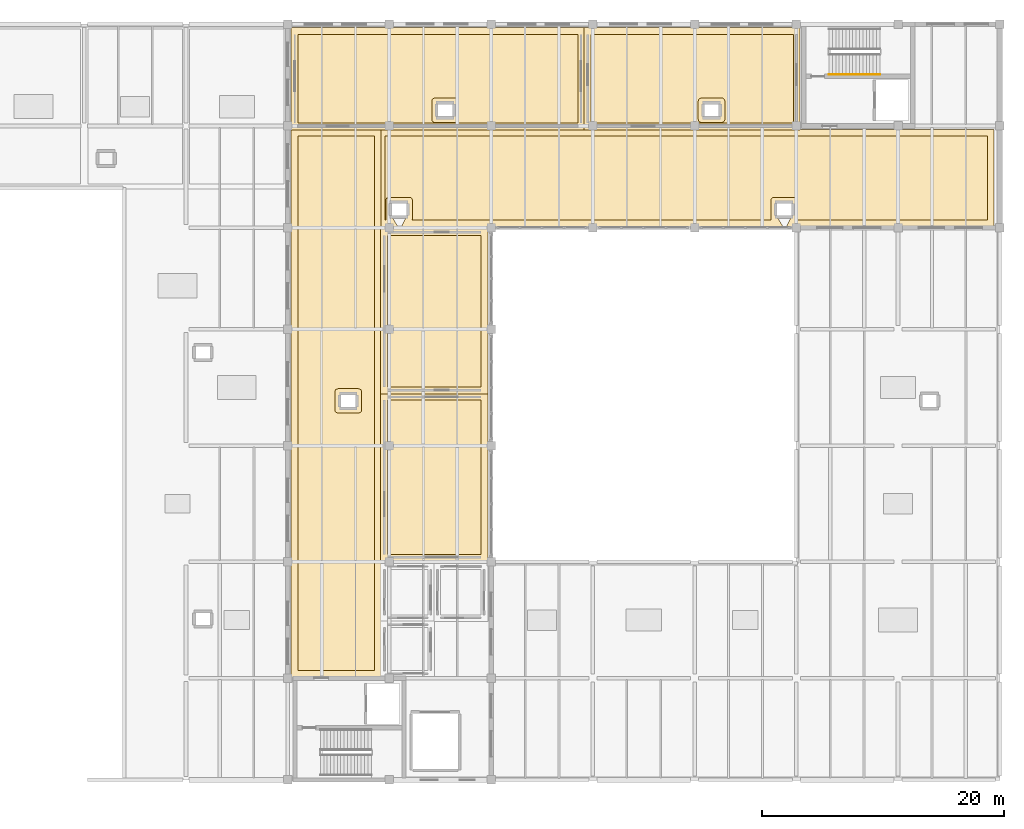
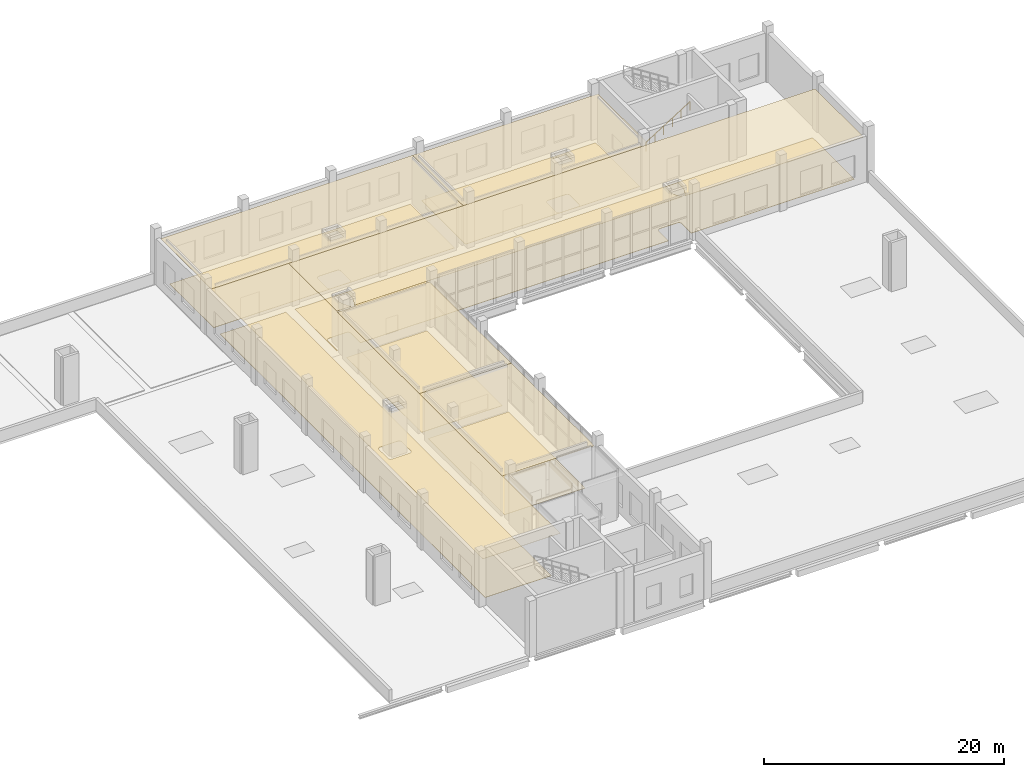
# One storey, part 48 of 49: 12 coverings, 1 railing.
"""IFC4 building model written with IfcOpenShell, lengths in metres."""

from ifc_helpers import new_model, si_unit, direction, frame, origin, origin_2d, place, context, subcontext, project, spatial, polyline, circle, outline, extrude, material, layer, layer_set, type_object, element, save


model = new_model("IFC4")

# Units and contexts
model_context = context("Model", 3, precision=1e-05, world=origin(), true_north=direction((0.0, 1.0)))
body_context = subcontext(model_context, "Body", "Model", "MODEL_VIEW")
ifc_project = project(units=[si_unit("LENGTHUNIT", "METRE"), si_unit("AREAUNIT", "SQUARE_METRE"), si_unit("VOLUMEUNIT", "CUBIC_METRE"), si_unit("PLANEANGLEUNIT", "RADIAN"), si_unit("MASSUNIT", "GRAM", prefix="KILO")], contexts=[model_context])

# Site, building, storey
site_placement = place(None, origin())
site = spatial("IfcSite", under=ifc_project, at=site_placement, CompositionType="ELEMENT")
building_placement = place(site_placement, origin())
building = spatial("IfcBuilding", under=site, at=building_placement, Name="Zulmaris Art Gallery", CompositionType="ELEMENT")
storey_placement = place(building_placement, frame((0.0, 0.0, 20.699951171875)))
storey = spatial("IfcBuildingStorey", under=building, at=storey_placement, Name="L04", CompositionType="ELEMENT", Elevation=20.699951171875)

# Coverings
ifc_material_1 = material(Name="Micro-Perforated Gypsum Acoustic Ceiling", Category="gypsum")
ifc_layer_1 = layer(ifc_material_1, 0.02490234375)
ifc_layer_set_1 = layer_set([ifc_layer_1], Name="Micro-Perforated Gypsum Acoustic Ceiling")
covering_type_1 = type_object("IfcCoveringType", Name="COV-CL01", PredefinedType="CEILING", material=ifc_layer_set_1)
covering_1_placement = place(storey_placement, frame((0.0, 0.0, 4.449951171875)))
element("IfcCovering", 1, at=covering_1_placement, inside=storey, type_object=covering_type_1, Name="L04 Studios West Corridor acoustic ceiling", PredefinedType="CEILING", context=body_context, shape_type="SweptSolid", body=[
    extrude(outline(polyline([(141.8798828125, 66.919921875), (149.320068359375, 66.919921875), (149.320068359375, 21.679931640625), (141.8798828125, 21.679931640625), (141.8798828125, 66.919921875)]), holes=[polyline([(145.97998046875, 43.998046875), (145.98046875, 43.99609375), (145.98095703125, 43.994140625), (145.9814453125, 43.9921875), (145.982421875, 43.990478515625), (145.9833984375, 43.989013671875), (145.984619140625, 43.9873046875), (145.98583984375, 43.98583984375), (145.9873046875, 43.984619140625), (145.989013671875, 43.9833984375), (145.990478515625, 43.982421875), (145.9921875, 43.9814453125), (145.994140625, 43.98095703125), (145.99609375, 43.98046875), (145.998046875, 43.97998046875), (146.0, 43.97998046875), (147.199951171875, 43.97998046875), (147.201904296875, 43.97998046875), (147.203857421875, 43.98046875), (147.205810546875, 43.98095703125), (147.207763671875, 43.9814453125), (147.20947265625, 43.982421875), (147.211181640625, 43.9833984375), (147.212646484375, 43.984619140625), (147.214111328125, 43.98583984375), (147.215576171875, 43.9873046875), (147.216552734375, 43.989013671875), (147.217529296875, 43.990478515625), (147.218505859375, 43.9921875), (147.218994140625, 43.994140625), (147.219482421875, 43.99609375), (147.219970703125, 43.998046875), (147.219970703125, 44.0), (147.219970703125, 45.0), (147.219970703125, 45.001953125), (147.219482421875, 45.00390625), (147.218994140625, 45.005859375), (147.218505859375, 45.0078125), (147.217529296875, 45.009521484375), (147.216552734375, 45.010986328125), (147.215576171875, 45.0126953125), (147.214111328125, 45.01416015625), (147.212646484375, 45.015380859375), (147.211181640625, 45.0166015625), (147.20947265625, 45.017578125), (147.207763671875, 45.0185546875), (147.205810546875, 45.01904296875), (147.203857421875, 45.01953125), (147.201904296875, 45.02001953125), (147.199951171875, 45.02001953125), (146.0, 45.02001953125), (145.998046875, 45.02001953125), (145.99609375, 45.01953125), (145.994140625, 45.01904296875), (145.9921875, 45.0185546875), (145.990478515625, 45.017578125), (145.989013671875, 45.0166015625), (145.9873046875, 45.015380859375), (145.98583984375, 45.01416015625), (145.984619140625, 45.0126953125), (145.9833984375, 45.010986328125), (145.982421875, 45.009521484375), (145.9814453125, 45.0078125), (145.98095703125, 45.005859375), (145.98046875, 45.00390625), (145.97998046875, 45.001953125), (145.97998046875, 45.0), (145.97998046875, 44.0), (145.97998046875, 43.998046875)])]), origin(), (0.0, 0.0, 1.0), 0.030029296875),
])
covering_2_placement = place(storey_placement, frame((0.0, 0.0, 4.449951171875)))
element("IfcCovering", 2, at=covering_2_placement, inside=storey, type_object=covering_type_1, Name="L04 Studios North Corridor acoustic ceiling", PredefinedType="CEILING", context=body_context, shape_type="SweptSolid", body=[
    extrude(outline(polyline([(199.919921875, 66.919921875), (199.919921875, 58.8798828125), (182.791748046875, 58.8798828125), (183.14990234375, 59.619873046875), (183.14990234375, 59.780029296875), (183.199951171875, 59.780029296875), (183.201904296875, 59.780029296875), (183.203857421875, 59.780517578125), (183.205810546875, 59.781005859375), (183.207763671875, 59.781494140625), (183.20947265625, 59.782470703125), (183.211181640625, 59.783447265625), (183.212646484375, 59.784423828125), (183.214111328125, 59.785888671875), (183.215576171875, 59.787353515625), (183.216552734375, 59.788818359375), (183.217529296875, 59.79052734375), (183.218505859375, 59.792236328125), (183.218994140625, 59.794189453125), (183.219482421875, 59.796142578125), (183.219970703125, 59.798095703125), (183.219970703125, 59.800048828125), (183.219970703125, 60.800048828125), (183.219970703125, 60.802001953125), (183.219482421875, 60.803955078125), (183.218994140625, 60.805908203125), (183.218505859375, 60.8076171875), (183.217529296875, 60.809326171875), (183.216552734375, 60.81103515625), (183.215576171875, 60.812744140625), (183.214111328125, 60.814208984375), (183.212646484375, 60.8154296875), (183.211181640625, 60.816650390625), (183.20947265625, 60.817626953125), (183.207763671875, 60.818603515625), (183.205810546875, 60.819091796875), (183.203857421875, 60.819580078125), (183.201904296875, 60.81982421875), (183.199951171875, 60.820068359375), (182.0, 60.820068359375), (181.998046875, 60.81982421875), (181.99609375, 60.819580078125), (181.994140625, 60.819091796875), (181.9921875, 60.818603515625), (181.990478515625, 60.817626953125), (181.989013671875, 60.816650390625), (181.9873046875, 60.8154296875), (181.98583984375, 60.814208984375), (181.984619140625, 60.812744140625), (181.9833984375, 60.81103515625), (181.982421875, 60.809326171875), (181.9814453125, 60.8076171875), (181.98095703125, 60.805908203125), (181.98046875, 60.803955078125), (181.97998046875, 60.802001953125), (181.97998046875, 60.800048828125), (181.97998046875, 59.800048828125), (181.97998046875, 59.798095703125), (181.98046875, 59.796142578125), (181.98095703125, 59.794189453125), (181.9814453125, 59.792236328125), (181.982421875, 59.79052734375), (181.9833984375, 59.788818359375), (181.984619140625, 59.787353515625), (181.98583984375, 59.785888671875), (181.9873046875, 59.784423828125), (181.989013671875, 59.783447265625), (181.990478515625, 59.782470703125), (181.9921875, 59.781494140625), (181.994140625, 59.781005859375), (181.99609375, 59.780517578125), (181.998046875, 59.780029296875), (182.0, 59.780029296875), (182.050048828125, 59.780029296875), (182.050048828125, 59.633544921875), (182.501708984375, 58.8798828125), (150.99169921875, 58.8798828125), (151.35009765625, 59.619873046875), (151.35009765625, 59.780029296875), (151.39990234375, 59.780029296875), (151.402099609375, 59.780029296875), (151.40380859375, 59.780517578125), (151.40576171875, 59.781005859375), (151.40771484375, 59.781494140625), (151.409423828125, 59.782470703125), (151.4111328125, 59.783447265625), (151.41259765625, 59.784423828125), (151.4140625, 59.785888671875), (151.41552734375, 59.787353515625), (151.41650390625, 59.788818359375), (151.41748046875, 59.79052734375), (151.41845703125, 59.792236328125), (151.419189453125, 59.794189453125), (151.419677734375, 59.796142578125), (151.419921875, 59.798095703125), (151.419921875, 59.800048828125), (151.419921875, 60.800048828125), (151.419921875, 60.802001953125), (151.419677734375, 60.803955078125), (151.419189453125, 60.805908203125), (151.41845703125, 60.8076171875), (151.41748046875, 60.809326171875), (151.41650390625, 60.81103515625), (151.41552734375, 60.812744140625), (151.4140625, 60.814208984375), (151.41259765625, 60.8154296875), (151.4111328125, 60.816650390625), (151.409423828125, 60.817626953125), (151.40771484375, 60.818603515625), (151.40576171875, 60.819091796875), (151.40380859375, 60.819580078125), (151.402099609375, 60.81982421875), (151.39990234375, 60.820068359375), (150.199951171875, 60.820068359375), (150.197998046875, 60.81982421875), (150.196044921875, 60.819580078125), (150.194091796875, 60.819091796875), (150.1923828125, 60.818603515625), (150.190673828125, 60.817626953125), (150.18896484375, 60.816650390625), (150.187255859375, 60.8154296875), (150.185791015625, 60.814208984375), (150.1845703125, 60.812744140625), (150.183349609375, 60.81103515625), (150.182373046875, 60.809326171875), (150.181396484375, 60.8076171875), (150.180908203125, 60.805908203125), (150.180419921875, 60.803955078125), (150.18017578125, 60.802001953125), (150.179931640625, 60.800048828125), (150.179931640625, 59.800048828125), (150.18017578125, 59.798095703125), (150.180419921875, 59.796142578125), (150.180908203125, 59.794189453125), (150.181396484375, 59.792236328125), (150.182373046875, 59.79052734375), (150.183349609375, 59.788818359375), (150.1845703125, 59.787353515625), (150.185791015625, 59.785888671875), (150.187255859375, 59.784423828125), (150.18896484375, 59.783447265625), (150.190673828125, 59.782470703125), (150.1923828125, 59.781494140625), (150.194091796875, 59.781005859375), (150.196044921875, 59.780517578125), (150.197998046875, 59.780029296875), (150.199951171875, 59.780029296875), (150.25, 59.780029296875), (150.25, 59.633544921875), (150.70166015625, 58.8798828125), (149.080078125, 58.8798828125), (149.080078125, 66.919921875), (199.919921875, 66.919921875)])), origin(), (0.0, 0.0, 1.0), 0.030029296875),
])
covering_3_placement = place(storey_placement, frame((0.0, 0.0, 4.449951171875)))
element("IfcCovering", 3, at=covering_3_placement, inside=storey, type_object=covering_type_1, Name="Resident Artists' Studio 1 (Painting) acoustic ceiling", PredefinedType="CEILING", context=body_context, shape_type="SweptSolid", body=[
    extrude(outline(polyline([(141.8798828125, 75.320068359375), (166.1201171875, 75.320068359375), (166.1201171875, 66.8798828125), (141.8798828125, 66.8798828125), (141.8798828125, 75.320068359375)]), holes=[polyline([(153.998046875, 69.02001953125), (153.99609375, 69.01953125), (153.994140625, 69.01904296875), (153.9921875, 69.0185546875), (153.990478515625, 69.017578125), (153.989013671875, 69.0166015625), (153.9873046875, 69.015380859375), (153.98583984375, 69.01416015625), (153.984619140625, 69.0126953125), (153.9833984375, 69.010986328125), (153.982421875, 69.009521484375), (153.9814453125, 69.0078125), (153.98095703125, 69.005859375), (153.98046875, 69.00390625), (153.97998046875, 69.001953125), (153.97998046875, 69.0), (153.97998046875, 68.0), (153.97998046875, 67.998046875), (153.98046875, 67.99609375), (153.98095703125, 67.994140625), (153.9814453125, 67.9921875), (153.982421875, 67.990478515625), (153.9833984375, 67.989013671875), (153.984619140625, 67.9873046875), (153.98583984375, 67.98583984375), (153.9873046875, 67.984619140625), (153.989013671875, 67.9833984375), (153.990478515625, 67.982421875), (153.9921875, 67.9814453125), (153.994140625, 67.98095703125), (153.99609375, 67.98046875), (153.998046875, 67.97998046875), (154.0, 67.97998046875), (155.199951171875, 67.97998046875), (155.201904296875, 67.97998046875), (155.203857421875, 67.98046875), (155.205810546875, 67.98095703125), (155.207763671875, 67.9814453125), (155.20947265625, 67.982421875), (155.211181640625, 67.9833984375), (155.212646484375, 67.984619140625), (155.214111328125, 67.98583984375), (155.215576171875, 67.9873046875), (155.216552734375, 67.989013671875), (155.217529296875, 67.990478515625), (155.218505859375, 67.9921875), (155.218994140625, 67.994140625), (155.219482421875, 67.99609375), (155.219970703125, 67.998046875), (155.219970703125, 68.0), (155.219970703125, 69.0), (155.219970703125, 69.001953125), (155.219482421875, 69.00390625), (155.218994140625, 69.005859375), (155.218505859375, 69.0078125), (155.217529296875, 69.009521484375), (155.216552734375, 69.010986328125), (155.215576171875, 69.0126953125), (155.214111328125, 69.01416015625), (155.212646484375, 69.015380859375), (155.211181640625, 69.0166015625), (155.20947265625, 69.017578125), (155.207763671875, 69.0185546875), (155.205810546875, 69.01904296875), (155.203857421875, 69.01953125), (155.201904296875, 69.02001953125), (155.199951171875, 69.02001953125), (154.0, 69.02001953125), (153.998046875, 69.02001953125)])]), origin(), (0.0, 0.0, 1.0), 0.030029296875),
])
covering_4_placement = place(storey_placement, frame((0.0, 0.0, 4.449951171875)))
element("IfcCovering", 4, at=covering_4_placement, inside=storey, type_object=covering_type_1, Name="Resident Artists' Studio 2 (Mixed Media) acoustic ceiling", PredefinedType="CEILING", context=body_context, shape_type="SweptSolid", body=[
    extrude(outline(polyline([(166.080078125, 75.320068359375), (183.919921875, 75.320068359375), (183.919921875, 66.8798828125), (166.080078125, 66.8798828125), (166.080078125, 75.320068359375)]), holes=[polyline([(177.201904296875, 67.97998046875), (177.203857421875, 67.98046875), (177.205810546875, 67.98095703125), (177.207763671875, 67.9814453125), (177.20947265625, 67.982421875), (177.211181640625, 67.9833984375), (177.212646484375, 67.984619140625), (177.214111328125, 67.98583984375), (177.215576171875, 67.9873046875), (177.216552734375, 67.989013671875), (177.217529296875, 67.990478515625), (177.218505859375, 67.9921875), (177.218994140625, 67.994140625), (177.219482421875, 67.99609375), (177.219970703125, 67.998046875), (177.219970703125, 68.0), (177.219970703125, 69.0), (177.219970703125, 69.001953125), (177.219482421875, 69.00390625), (177.218994140625, 69.005859375), (177.218505859375, 69.0078125), (177.217529296875, 69.009521484375), (177.216552734375, 69.010986328125), (177.215576171875, 69.0126953125), (177.214111328125, 69.01416015625), (177.212646484375, 69.015380859375), (177.211181640625, 69.0166015625), (177.20947265625, 69.017578125), (177.207763671875, 69.0185546875), (177.205810546875, 69.01904296875), (177.203857421875, 69.01953125), (177.201904296875, 69.02001953125), (177.199951171875, 69.02001953125), (176.0, 69.02001953125), (175.998046875, 69.02001953125), (175.99609375, 69.01953125), (175.994140625, 69.01904296875), (175.9921875, 69.0185546875), (175.990478515625, 69.017578125), (175.989013671875, 69.0166015625), (175.9873046875, 69.015380859375), (175.98583984375, 69.01416015625), (175.984619140625, 69.0126953125), (175.9833984375, 69.010986328125), (175.982421875, 69.009521484375), (175.9814453125, 69.0078125), (175.98095703125, 69.005859375), (175.98046875, 69.00390625), (175.97998046875, 69.001953125), (175.97998046875, 69.0), (175.97998046875, 68.0), (175.97998046875, 67.998046875), (175.98046875, 67.99609375), (175.98095703125, 67.994140625), (175.9814453125, 67.9921875), (175.982421875, 67.990478515625), (175.9833984375, 67.989013671875), (175.984619140625, 67.9873046875), (175.98583984375, 67.98583984375), (175.9873046875, 67.984619140625), (175.989013671875, 67.9833984375), (175.990478515625, 67.982421875), (175.9921875, 67.9814453125), (175.994140625, 67.98095703125), (175.99609375, 67.98046875), (175.998046875, 67.97998046875), (176.0, 67.97998046875), (177.199951171875, 67.97998046875), (177.201904296875, 67.97998046875)])]), origin(), (0.0, 0.0, 1.0), 0.030029296875),
])
covering_5_placement = place(storey_placement, frame((0.0, 0.0, 4.449951171875)))
element("IfcCovering", 5, at=covering_5_placement, inside=storey, type_object=covering_type_1, Name="Resident Artists' Studio 3 (Sculpture) acoustic ceiling", PredefinedType="CEILING", context=body_context, shape_type="SweptSolid", body=[
    extrude(outline(polyline([(149.280029296875, 45.1201171875), (158.1201171875, 45.1201171875), (158.1201171875, 31.280029296875), (149.280029296875, 31.280029296875), (149.280029296875, 45.1201171875)])), origin(), (0.0, 0.0, 1.0), 0.030029296875),
])
covering_6_placement = place(storey_placement, frame((0.0, 0.0, 4.449951171875)))
element("IfcCovering", 6, at=covering_6_placement, inside=storey, type_object=covering_type_1, Name="Shared Wood, Metal & Kiln Workshop acoustic ceiling", PredefinedType="CEILING", context=body_context, shape_type="SweptSolid", body=[
    extrude(outline(polyline([(149.280029296875, 58.719970703125), (158.1201171875, 58.719970703125), (158.1201171875, 45.080078125), (149.280029296875, 45.080078125), (149.280029296875, 58.719970703125)])), origin(), (0.0, 0.0, 1.0), 0.030029296875),
])
ifc_material_2 = material(Name="Honed Omani Limestone Terrazzo Flooring", Category="masonry")
ifc_layer_2 = layer(ifc_material_2, 0.0400390625)
ifc_layer_set_2 = layer_set([ifc_layer_2], Name="Honed Omani Limestone Terrazzo Flooring")
covering_type_2 = type_object("IfcCoveringType", Name="COV-FL01", PredefinedType="FLOORING", material=ifc_layer_set_2)
covering_7_placement = place(storey_placement, origin())
element("IfcCovering", 7, at=covering_7_placement, inside=storey, type_object=covering_type_2, Name="L04 Studios West Corridor finish flooring", PredefinedType="FLOORING", context=body_context, shape_type="SweptSolid", body=[
    extrude(outline(polyline([(148.77001953125, 22.22998046875), (142.429931640625, 22.22998046875), (142.429931640625, 66.3701171875), (148.77001953125, 66.3701171875), (148.77001953125, 22.22998046875)]), holes=[polyline([(145.7255859375, 45.498779296875), (145.701171875, 45.4951171875), (145.677490234375, 45.4892578125), (145.654296875, 45.48095703125), (145.632080078125, 45.470458984375), (145.611083984375, 45.4580078125), (145.59130859375, 45.443359375), (145.5732421875, 45.4267578125), (145.556640625, 45.40869140625), (145.5419921875, 45.388916015625), (145.529541015625, 45.367919921875), (145.51904296875, 45.345703125), (145.5107421875, 45.322509765625), (145.5048828125, 45.298828125), (145.501220703125, 45.2744140625), (145.5, 45.25), (145.5, 43.75), (145.501220703125, 43.7255859375), (145.5048828125, 43.701171875), (145.5107421875, 43.677490234375), (145.51904296875, 43.654296875), (145.529541015625, 43.632080078125), (145.5419921875, 43.611083984375), (145.556640625, 43.59130859375), (145.5732421875, 43.5732421875), (145.59130859375, 43.556640625), (145.611083984375, 43.5419921875), (145.632080078125, 43.529541015625), (145.654296875, 43.51904296875), (145.677490234375, 43.5107421875), (145.701171875, 43.5048828125), (145.7255859375, 43.501220703125), (145.75, 43.5), (147.449951171875, 43.5), (147.474609375, 43.501220703125), (147.498779296875, 43.5048828125), (147.522705078125, 43.5107421875), (147.545654296875, 43.51904296875), (147.56787109375, 43.529541015625), (147.5888671875, 43.5419921875), (147.608642578125, 43.556640625), (147.626708984375, 43.5732421875), (147.643310546875, 43.59130859375), (147.657958984375, 43.611083984375), (147.67041015625, 43.632080078125), (147.680908203125, 43.654296875), (147.689208984375, 43.677490234375), (147.6953125, 43.701171875), (147.69873046875, 43.7255859375), (147.699951171875, 43.75), (147.699951171875, 45.25), (147.69873046875, 45.2744140625), (147.6953125, 45.298828125), (147.689208984375, 45.322509765625), (147.680908203125, 45.345703125), (147.67041015625, 45.367919921875), (147.657958984375, 45.388916015625), (147.643310546875, 45.40869140625), (147.626708984375, 45.4267578125), (147.608642578125, 45.443359375), (147.5888671875, 45.4580078125), (147.56787109375, 45.470458984375), (147.545654296875, 45.48095703125), (147.522705078125, 45.4892578125), (147.498779296875, 45.4951171875), (147.474609375, 45.498779296875), (147.449951171875, 45.5), (145.75, 45.5), (145.7255859375, 45.498779296875)])]), origin(), (0.0, 0.0, 1.0), 0.03515625),
])
covering_8_placement = place(storey_placement, origin())
element("IfcCovering", 8, at=covering_8_placement, inside=storey, type_object=covering_type_2, Name="L04 Studios North Corridor finish flooring", PredefinedType="FLOORING", context=body_context, shape_type="SweptSolid", body=[
    extrude(outline(polyline([(149.6298828125, 59.429931640625), (149.6298828125, 66.3701171875), (199.3701171875, 66.3701171875), (199.3701171875, 59.429931640625), (183.669189453125, 59.429931640625), (183.67041015625, 59.43212890625), (183.680908203125, 59.454345703125), (183.689208984375, 59.477294921875), (183.6953125, 59.501220703125), (183.69873046875, 59.525390625), (183.699951171875, 59.550048828125), (183.699951171875, 61.050048828125), (183.69873046875, 61.074462890625), (183.6953125, 61.098876953125), (183.689208984375, 61.12255859375), (183.680908203125, 61.145751953125), (183.67041015625, 61.167724609375), (183.657958984375, 61.18896484375), (183.643310546875, 61.20849609375), (183.626708984375, 61.226806640625), (183.608642578125, 61.243408203125), (183.5888671875, 61.2578125), (183.56787109375, 61.2705078125), (183.545654296875, 61.281005859375), (183.522705078125, 61.289306640625), (183.498779296875, 61.295166015625), (183.474609375, 61.298828125), (183.449951171875, 61.300048828125), (181.75, 61.300048828125), (181.7255859375, 61.298828125), (181.701171875, 61.295166015625), (181.677490234375, 61.289306640625), (181.654296875, 61.281005859375), (181.632080078125, 61.2705078125), (181.611083984375, 61.2578125), (181.59130859375, 61.243408203125), (181.5732421875, 61.226806640625), (181.556640625, 61.20849609375), (181.5419921875, 61.18896484375), (181.529541015625, 61.167724609375), (181.51904296875, 61.145751953125), (181.5107421875, 61.12255859375), (181.5048828125, 61.098876953125), (181.501220703125, 61.074462890625), (181.5, 61.050048828125), (181.5, 59.550048828125), (181.501220703125, 59.525390625), (181.5048828125, 59.501220703125), (181.5107421875, 59.477294921875), (181.51904296875, 59.454345703125), (181.529541015625, 59.43212890625), (181.53076171875, 59.429931640625), (151.869140625, 59.429931640625), (151.87060546875, 59.43212890625), (151.881103515625, 59.454345703125), (151.88916015625, 59.477294921875), (151.895263671875, 59.501220703125), (151.898681640625, 59.525390625), (151.89990234375, 59.550048828125), (151.89990234375, 61.050048828125), (151.898681640625, 61.074462890625), (151.895263671875, 61.098876953125), (151.88916015625, 61.12255859375), (151.881103515625, 61.145751953125), (151.87060546875, 61.167724609375), (151.85791015625, 61.18896484375), (151.84326171875, 61.20849609375), (151.826904296875, 61.226806640625), (151.80859375, 61.243408203125), (151.788818359375, 61.2578125), (151.767822265625, 61.2705078125), (151.74560546875, 61.281005859375), (151.72265625, 61.289306640625), (151.69873046875, 61.295166015625), (151.674560546875, 61.298828125), (151.64990234375, 61.300048828125), (149.949951171875, 61.300048828125), (149.925537109375, 61.298828125), (149.901123046875, 61.295166015625), (149.87744140625, 61.289306640625), (149.854248046875, 61.281005859375), (149.832275390625, 61.2705078125), (149.81103515625, 61.2578125), (149.79150390625, 61.243408203125), (149.773193359375, 61.226806640625), (149.756591796875, 61.20849609375), (149.7421875, 61.18896484375), (149.7294921875, 61.167724609375), (149.718994140625, 61.145751953125), (149.710693359375, 61.12255859375), (149.704833984375, 61.098876953125), (149.701171875, 61.074462890625), (149.699951171875, 61.050048828125), (149.699951171875, 59.550048828125), (149.701171875, 59.525390625), (149.704833984375, 59.501220703125), (149.710693359375, 59.477294921875), (149.718994140625, 59.454345703125), (149.7294921875, 59.43212890625), (149.730712890625, 59.429931640625), (149.6298828125, 59.429931640625)])), origin(), (0.0, 0.0, 1.0), 0.03515625),
])
covering_9_placement = place(storey_placement, origin())
element("IfcCovering", 9, at=covering_9_placement, inside=storey, type_object=covering_type_2, Name="Resident Artists' Studio 1 (Painting) finish flooring", PredefinedType="FLOORING", context=body_context, shape_type="SweptSolid", body=[
    extrude(outline(polyline([(165.570068359375, 67.429931640625), (142.429931640625, 67.429931640625), (142.429931640625, 74.77001953125), (165.570068359375, 74.77001953125), (165.570068359375, 67.429931640625)]), holes=[polyline([(153.501220703125, 67.7255859375), (153.5048828125, 67.701171875), (153.5107421875, 67.677490234375), (153.51904296875, 67.654296875), (153.529541015625, 67.632080078125), (153.5419921875, 67.611083984375), (153.556640625, 67.59130859375), (153.5732421875, 67.5732421875), (153.59130859375, 67.556640625), (153.611083984375, 67.5419921875), (153.632080078125, 67.529541015625), (153.654296875, 67.51904296875), (153.677490234375, 67.5107421875), (153.701171875, 67.5048828125), (153.7255859375, 67.501220703125), (153.75, 67.5), (155.449951171875, 67.5), (155.474609375, 67.501220703125), (155.498779296875, 67.5048828125), (155.522705078125, 67.5107421875), (155.545654296875, 67.51904296875), (155.56787109375, 67.529541015625), (155.5888671875, 67.5419921875), (155.608642578125, 67.556640625), (155.626708984375, 67.5732421875), (155.643310546875, 67.59130859375), (155.657958984375, 67.611083984375), (155.67041015625, 67.632080078125), (155.680908203125, 67.654296875), (155.689208984375, 67.677490234375), (155.6953125, 67.701171875), (155.69873046875, 67.7255859375), (155.699951171875, 67.75), (155.699951171875, 69.25), (155.69873046875, 69.2744140625), (155.6953125, 69.298828125), (155.689208984375, 69.322509765625), (155.680908203125, 69.345703125), (155.67041015625, 69.367919921875), (155.657958984375, 69.388916015625), (155.643310546875, 69.40869140625), (155.626708984375, 69.4267578125), (155.608642578125, 69.443359375), (155.5888671875, 69.4580078125), (155.56787109375, 69.470458984375), (155.545654296875, 69.48095703125), (155.522705078125, 69.4892578125), (155.498779296875, 69.4951171875), (155.474609375, 69.498779296875), (155.449951171875, 69.5), (153.75, 69.5), (153.7255859375, 69.498779296875), (153.701171875, 69.4951171875), (153.677490234375, 69.4892578125), (153.654296875, 69.48095703125), (153.632080078125, 69.470458984375), (153.611083984375, 69.4580078125), (153.59130859375, 69.443359375), (153.5732421875, 69.4267578125), (153.556640625, 69.40869140625), (153.5419921875, 69.388916015625), (153.529541015625, 69.367919921875), (153.51904296875, 69.345703125), (153.5107421875, 69.322509765625), (153.5048828125, 69.298828125), (153.501220703125, 69.2744140625), (153.5, 69.25), (153.5, 67.75), (153.501220703125, 67.7255859375)])]), origin(), (0.0, 0.0, 1.0), 0.03515625),
])
covering_10_placement = place(storey_placement, origin())
element("IfcCovering", 10, at=covering_10_placement, inside=storey, type_object=covering_type_2, Name="Resident Artists' Studio 2 (Mixed Media) finish flooring", PredefinedType="FLOORING", context=body_context, shape_type="SweptSolid", body=[
    extrude(outline(polyline([(183.3701171875, 67.429931640625), (166.6298828125, 67.429931640625), (166.6298828125, 74.77001953125), (183.3701171875, 74.77001953125), (183.3701171875, 67.429931640625)]), holes=[polyline([(175.7255859375, 69.498779296875), (175.701171875, 69.4951171875), (175.677490234375, 69.4892578125), (175.654296875, 69.48095703125), (175.632080078125, 69.470458984375), (175.611083984375, 69.4580078125), (175.59130859375, 69.443359375), (175.5732421875, 69.4267578125), (175.556640625, 69.40869140625), (175.5419921875, 69.388916015625), (175.529541015625, 69.367919921875), (175.51904296875, 69.345703125), (175.5107421875, 69.322509765625), (175.5048828125, 69.298828125), (175.501220703125, 69.2744140625), (175.5, 69.25), (175.5, 67.75), (175.501220703125, 67.7255859375), (175.5048828125, 67.701171875), (175.5107421875, 67.677490234375), (175.51904296875, 67.654296875), (175.529541015625, 67.632080078125), (175.5419921875, 67.611083984375), (175.556640625, 67.59130859375), (175.5732421875, 67.5732421875), (175.59130859375, 67.556640625), (175.611083984375, 67.5419921875), (175.632080078125, 67.529541015625), (175.654296875, 67.51904296875), (175.677490234375, 67.5107421875), (175.701171875, 67.5048828125), (175.7255859375, 67.501220703125), (175.75, 67.5), (177.449951171875, 67.5), (177.474609375, 67.501220703125), (177.498779296875, 67.5048828125), (177.522705078125, 67.5107421875), (177.545654296875, 67.51904296875), (177.56787109375, 67.529541015625), (177.5888671875, 67.5419921875), (177.608642578125, 67.556640625), (177.626708984375, 67.5732421875), (177.643310546875, 67.59130859375), (177.657958984375, 67.611083984375), (177.67041015625, 67.632080078125), (177.680908203125, 67.654296875), (177.689208984375, 67.677490234375), (177.6953125, 67.701171875), (177.69873046875, 67.7255859375), (177.699951171875, 67.75), (177.699951171875, 69.25), (177.69873046875, 69.2744140625), (177.6953125, 69.298828125), (177.689208984375, 69.322509765625), (177.680908203125, 69.345703125), (177.67041015625, 69.367919921875), (177.657958984375, 69.388916015625), (177.643310546875, 69.40869140625), (177.626708984375, 69.4267578125), (177.608642578125, 69.443359375), (177.5888671875, 69.4580078125), (177.56787109375, 69.470458984375), (177.545654296875, 69.48095703125), (177.522705078125, 69.4892578125), (177.498779296875, 69.4951171875), (177.474609375, 69.498779296875), (177.449951171875, 69.5), (175.75, 69.5), (175.7255859375, 69.498779296875)])]), origin(), (0.0, 0.0, 1.0), 0.03515625),
])
covering_11_placement = place(storey_placement, origin())
element("IfcCovering", 11, at=covering_11_placement, inside=storey, type_object=covering_type_2, Name="Resident Artists' Studio 3 (Sculpture) finish flooring", PredefinedType="FLOORING", context=body_context, shape_type="SweptSolid", body=[
    extrude(outline(polyline([(157.570068359375, 31.830078125), (149.830078125, 31.830078125), (149.830078125, 44.570068359375), (157.570068359375, 44.570068359375), (157.570068359375, 31.830078125)])), origin(), (0.0, 0.0, 1.0), 0.03515625),
])
covering_12_placement = place(storey_placement, origin())
element("IfcCovering", 12, at=covering_12_placement, inside=storey, type_object=covering_type_2, Name="Shared Wood, Metal & Kiln Workshop finish flooring", PredefinedType="FLOORING", context=body_context, shape_type="SweptSolid", body=[
    extrude(outline(polyline([(157.570068359375, 45.6298828125), (149.830078125, 45.6298828125), (149.830078125, 58.169921875), (157.570068359375, 58.169921875), (157.570068359375, 45.6298828125)])), origin(), (0.0, 0.0, 1.0), 0.03515625),
])

# Railing
ifc_material_3 = material(Name="Brushed Bronze Handrail", Category="steel")
ifc_layer_3 = layer(ifc_material_3, 0.048095703125)
ifc_layer_set_3 = layer_set([ifc_layer_3], Name="Brushed Bronze Handrail")
railing_type = type_object("IfcRailingType", Name="RAIL-STHND", PredefinedType="HANDRAIL", material=ifc_layer_set_3)
railing_placement = place(storey_placement, frame((186.300048828125, 71.4599609375, 0.17822265625)))
element("IfcRailing", 13, at=railing_placement, inside=storey, type_object=railing_type, Name="L04 ST4 stair handrail 1", PredefinedType="HANDRAIL", context=body_context, shape_type="SweptSolid", body=[
    extrude(circle(Radius=0.02392578125, at=origin_2d()), frame((0.0, 0.0, 0.8759765625), z_axis=(0.843736202395, 0.0, 0.536758065396), x_axis=(0.0, 1.0, 0.0)), (0.0, 0.0, 1.0), 4.977783203125),
    extrude(circle(Radius=0.02099609375, at=origin_2d()), origin(), (0.0, 0.0, 1.0), 0.851806640625),
    extrude(circle(Radius=0.02099609375, at=origin_2d()), frame((0.840087890625, 0.0, 0.534423828125)), (0.0, 0.0, 1.0), 0.851806640625),
    extrude(circle(Radius=0.02099609375, at=origin_2d()), frame((1.679931640625, 0.0, 1.06884765625)), (0.0, 0.0, 1.0), 0.851806640625),
    extrude(circle(Radius=0.02099609375, at=origin_2d()), frame((2.52001953125, 0.0, 1.60302734375)), (0.0, 0.0, 1.0), 0.851806640625),
    extrude(circle(Radius=0.02099609375, at=origin_2d()), frame((3.35986328125, 0.0, 2.137451171875)), (0.0, 0.0, 1.0), 0.851806640625),
    extrude(circle(Radius=0.02099609375, at=origin_2d()), frame((4.199951171875, 0.0, 2.671875)), (0.0, 0.0, 1.0), 0.851806640625),
])

save(model, "model.ifc")
